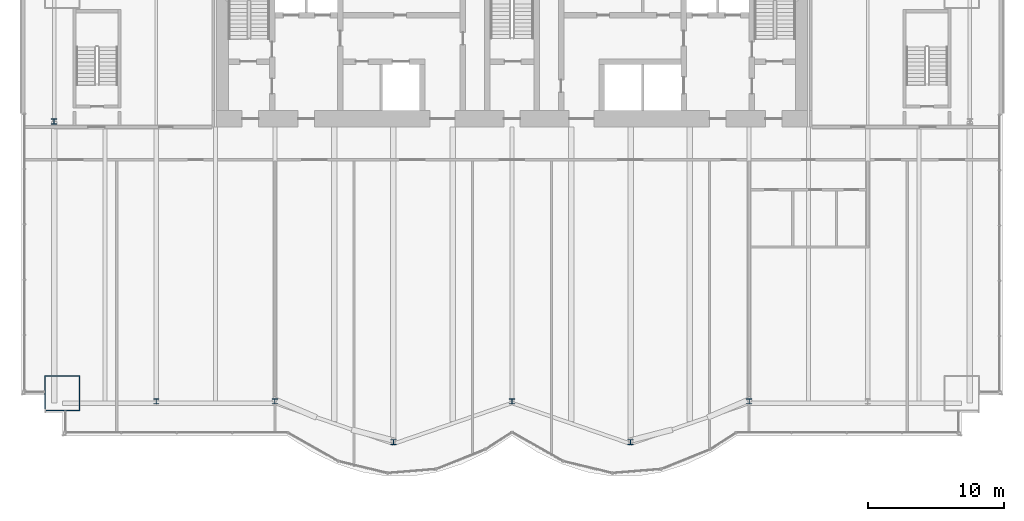
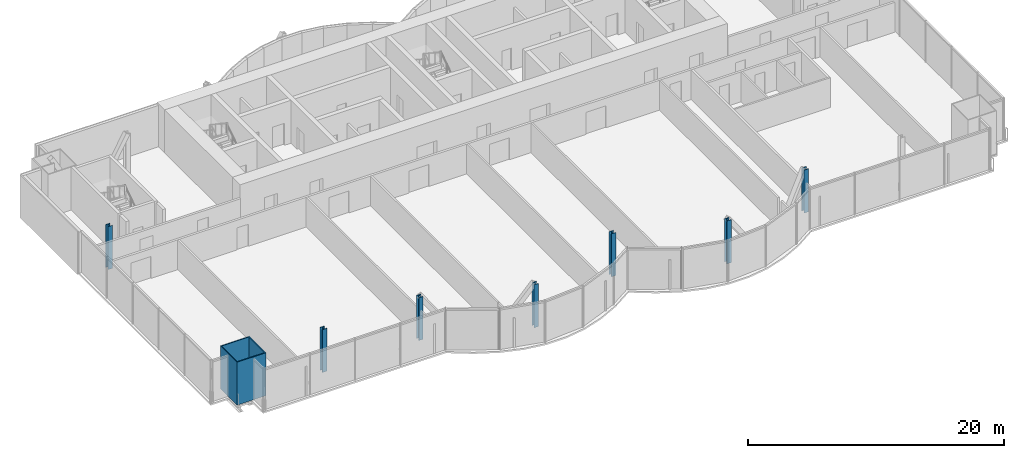
# One storey, part 1 of 22: 8 columns.
"""IFC4 building model written with IfcOpenShell, lengths in metres."""

import ifcopenshell
import ifcopenshell.guid

model = None  # the IFC model being written
_history = None  # IfcOwnerHistory: only IFC2X3 demands one
_inside = {}  # id of a spatial element -> (the spatial element, [elements in it])
_under = {}  # id of a project, library or spatial element -> (it, [spatial elements below it])
_declared = {}  # id of a project -> (the project, [libraries it declares])
_typed = {}  # id of a type object -> (the type object, [elements of that type])
_made_of = {}  # id of a material, layer set ... -> (it, [elements and type objects made of it])


def new_model(schema):
    """Start an empty IFC model of exactly this schema.

    Asked for "IFC4X3", IfcOpenShell would pick the latest addendum, in which some entities
    have other attributes; the version numbers below select the first issue.
    IFC2X3 requires an IfcOwnerHistory on every rooted entity: one is made here for all.
    """
    global model, _history
    if schema == "IFC4X3":
        model = ifcopenshell.file(schema_version=(4, 3, 0, 0))
    else:
        model = ifcopenshell.file(schema=schema)
    _inside.clear()
    _under.clear()
    _declared.clear()
    _typed.clear()
    _made_of.clear()
    _history = None
    if model.schema == "IFC2X3":
        org = make("IfcOrganization", Name="unknown")
        user = make(
            "IfcPersonAndOrganization",
            ThePerson=make("IfcPerson", FamilyName="unknown"),
            TheOrganization=org,
        )
        app = make(
            "IfcApplication",
            ApplicationDeveloper=org,
            Version="unknown",
            ApplicationFullName="unknown",
            ApplicationIdentifier="unknown",
        )
        _history = make(
            "IfcOwnerHistory",
            OwningUser=user,
            OwningApplication=app,
            ChangeAction="ADDED",
            CreationDate=0,
        )
    return model


def make(cls, **values):
    """One entity of the class cls with the attributes given. An attribute that is None is left unset."""
    return model.create_entity(
        cls, **{name: value for name, value in values.items() if value is not None}
    )


def rooted(cls, **values):
    """An entity with a GlobalId (a new one), such as an element, a storey or a relation."""
    return make(cls, GlobalId=ifcopenshell.guid.new(), OwnerHistory=_history, **values)


def si_unit(unit_type, name, prefix=None):
    """IfcSIUnit, for example si_unit("LENGTHUNIT", "METRE", prefix="MILLI")."""
    return make("IfcSIUnit", UnitType=unit_type, Prefix=prefix, Name=name)


def assignment(units):
    """IfcUnitAssignment: the units of a project."""
    return None if units is None else make("IfcUnitAssignment", Units=units)


def point(xyz):
    """IfcCartesianPoint."""
    return None if xyz is None else make("IfcCartesianPoint", Coordinates=xyz)


def direction(xyz):
    """IfcDirection."""
    return None if xyz is None else make("IfcDirection", DirectionRatios=xyz)


def frame(location, z_axis=None, x_axis=None):
    """IfcAxis2Placement3D, a coordinate frame: its origin and axes. An axis left out is left unset."""
    return make(
        "IfcAxis2Placement3D",
        Location=point(location),
        Axis=direction(z_axis),
        RefDirection=direction(x_axis),
    )


def frame_2d(location, x_axis=None):
    """IfcAxis2Placement2D, a coordinate frame in the plane: its origin and x axis."""
    return make(
        "IfcAxis2Placement2D", Location=point(location), RefDirection=direction(x_axis)
    )


def origin():
    """The frame at (0, 0, 0) with its axes left unset."""
    return frame((0.0, 0.0, 0.0))


def origin_2d():
    """The frame at (0, 0) in the plane with its x axis left unset."""
    return frame_2d((0.0, 0.0))


def place(relative_to, where):
    """IfcLocalPlacement: puts the frame where relative to a parent placement (None: the world)."""
    return make(
        "IfcLocalPlacement", PlacementRelTo=relative_to, RelativePlacement=where
    )


def context(
    kind, dimensions, precision=None, world=None, true_north=None, identifier=None
):
    """IfcGeometricRepresentationContext, for example the 3D "Model" context."""
    return make(
        "IfcGeometricRepresentationContext",
        ContextIdentifier=identifier,
        ContextType=kind,
        CoordinateSpaceDimension=dimensions,
        Precision=precision,
        WorldCoordinateSystem=world,
        TrueNorth=true_north,
    )


def subcontext(parent, identifier, kind, view, scale=None):
    """IfcGeometricRepresentationSubContext, for example "Body" below "Model"."""
    return make(
        "IfcGeometricRepresentationSubContext",
        ContextIdentifier=identifier,
        ContextType=kind,
        ParentContext=parent,
        TargetScale=scale,
        TargetView=view,
    )


def project(units=None, contexts=None):
    """IfcProject with its units and contexts."""
    return rooted(
        "IfcProject",
        Name="project",
        RepresentationContexts=contexts,
        UnitsInContext=assignment(units),
    )


def spatial(cls, under=None, at=None, **own):
    """A site, building, storey or space (cls), placed at a placement, below another one or the project."""
    s = rooted(cls, ObjectPlacement=at, **own)
    if under is not None:
        _under.setdefault(under.id(), (under, []))[1].append(s)
    return s


def profile(cls, at=None, kind="AREA", **sizes):
    """A parametric profile (cls). Its sizes go by their IFC names, for example OverallWidth=200.0."""
    return make(cls, ProfileType=kind, Position=at, **sizes)


def hollow_rectangle(**sizes):
    """IfcRectangleHollowProfileDef."""
    return profile("IfcRectangleHollowProfileDef", **sizes)


def i_section(**sizes):
    """IfcIShapeProfileDef."""
    return profile("IfcIShapeProfileDef", **sizes)


def extrude(swept, where, along, depth):
    """IfcExtrudedAreaSolid: the profile swept, set in the frame where, extruded along a direction by depth."""
    return make(
        "IfcExtrudedAreaSolid",
        SweptArea=swept,
        Position=where,
        ExtrudedDirection=direction(along),
        Depth=depth,
    )


def shape(context_of_items, identifier, shape_type, items):
    """IfcShapeRepresentation: the items that make up one representation, for example the "Body"."""
    return make(
        "IfcShapeRepresentation",
        ContextOfItems=context_of_items,
        RepresentationIdentifier=identifier,
        RepresentationType=shape_type,
        Items=items,
    )


def material(Name=None, Category=None):
    """IfcMaterial."""
    return make("IfcMaterial", Name=Name, Category=Category)


def material_profile(
    of_material, cross_section, Name=None, Category=None, Priority=None
):
    """IfcMaterialProfile: a cross section and its material."""
    return make(
        "IfcMaterialProfile",
        Name=Name,
        Material=of_material,
        Profile=cross_section,
        Priority=Priority,
        Category=Category,
    )


def profile_set(profiles, Name=None, composite=None):
    """IfcMaterialProfileSet."""
    return make(
        "IfcMaterialProfileSet",
        Name=Name,
        MaterialProfiles=profiles,
        CompositeProfile=composite,
    )


def made_of(thing, what):
    """Note that an element or type object is made of a material, layer set ...; save() writes the relation."""
    if what is not None:
        _made_of.setdefault(what.id(), (what, []))[1].append(thing)
    return thing


def type_object(cls, material=None, **own):
    """A type object (cls), such as IfcWallType, which elements share."""
    return made_of(rooted(cls, **own), material)


def element(
    cls,
    number,
    at=None,
    inside=None,
    cuts=None,
    type_object=None,
    material=None,
    context=None,
    identifier="Body",
    shape_type=None,
    held_by="IfcProductDefinitionShape",
    body=None,
    shapes=None,
    **own,
):
    """One element of the class cls, such as IfcWall. Its Tag is "e" and its number.

    at: its placement. inside: the storey or other place that contains it. cuts: it is an
    opening in that element (IfcRelVoidsElement). A single representation is given by context,
    identifier, shape_type and body (its items); several are given by shapes. held_by: the class
    of the entity that holds the representations. save() writes the other relations.
    """
    e = rooted(cls, Tag="e%d" % number, ObjectPlacement=at, **own)
    if body is not None:
        shapes = [shape(context, identifier, shape_type, body)]
    if shapes is not None:
        e.Representation = make(held_by, Representations=shapes)
    if inside is not None:
        _inside.setdefault(inside.id(), (inside, []))[1].append(e)
    if cuts is not None:
        rooted(
            "IfcRelVoidsElement", RelatingBuildingElement=cuts, RelatedOpeningElement=e
        )
    if type_object is not None:
        _typed.setdefault(type_object.id(), (type_object, []))[1].append(e)
    return made_of(e, material)


def aggregate(whole, parts):
    """IfcRelAggregates: a whole, such as a stair, and the parts it consists of."""
    return rooted("IfcRelAggregates", RelatingObject=whole, RelatedObjects=parts)


def save(model, path):
    """Write the relations noted so far, then the file.

    IfcRelAggregates (storeys below a building ...), IfcRelContainedInSpatialStructure (elements
    in a storey), IfcRelDefinesByType, IfcRelAssociatesMaterial and IfcRelDeclares: one each for
    every whole, place, type object, material and project.
    """
    for whole, parts in _under.values():
        aggregate(whole, parts)
    for where, things in _inside.values():
        rooted(
            "IfcRelContainedInSpatialStructure",
            RelatedElements=things,
            RelatingStructure=where,
        )
    for kind, things in _typed.values():
        rooted("IfcRelDefinesByType", RelatedObjects=things, RelatingType=kind)
    for what, things in _made_of.values():
        rooted("IfcRelAssociatesMaterial", RelatedObjects=things, RelatingMaterial=what)
    for by, libraries in _declared.values():
        rooted("IfcRelDeclares", RelatingContext=by, RelatedDefinitions=libraries)
    model.write(path)


model = new_model("IFC4")

# Units and contexts
model_context = context("Model", 3, precision=1e-05, world=origin(), true_north=direction((0.0, 1.0)))
body_context = subcontext(model_context, "Body", "Model", "MODEL_VIEW")
ifc_project = project(units=[si_unit("LENGTHUNIT", "METRE"), si_unit("AREAUNIT", "SQUARE_METRE"), si_unit("VOLUMEUNIT", "CUBIC_METRE"), si_unit("PLANEANGLEUNIT", "RADIAN"), si_unit("MASSUNIT", "GRAM", prefix="KILO")], contexts=[model_context])

# Site, building, storey
site_placement = place(None, origin())
site = spatial("IfcSite", under=ifc_project, at=site_placement, CompositionType="ELEMENT")
building_placement = place(site_placement, origin())
building = spatial("IfcBuilding", under=site, at=building_placement, Name="Bicima Exchange Tower", CompositionType="ELEMENT")
storey_placement = place(building_placement, frame((0.0, 0.0, 148.60009765625)))
storey = spatial("IfcBuildingStorey", under=building, at=storey_placement, Name="L32", CompositionType="ELEMENT", Elevation=148.60009765625)

# Columns
ifc_material_1 = material(Name="Steel ASTM A572 Gr 50", Category="steel")
ifc_material_profile_1 = material_profile(ifc_material_1, hollow_rectangle(XDim=2.60009765625, YDim=2.60009765625, WallThickness=0.080078125, at=origin_2d()))
ifc_profile_set_1 = profile_set([ifc_material_profile_1], Name="Steel ASTM A572 Gr 50")
column_type_1 = type_object("IfcColumnType", Name="Mega column BOX 2600x2600x80", PredefinedType="COLUMN", material=ifc_profile_set_1)
column_placement = place(storey_placement, frame((-33.0, -32.533935546875, 0.0), z_axis=(0.0, 0.0, 1.0), x_axis=(1.0, 0.0, 0.0)))
element("IfcColumn", 1, at=column_placement, inside=storey, type_object=column_type_1, Name="Mega column mega-33.0f", PredefinedType="COLUMN", context=body_context, shape_type="SweptSolid", body=[
    extrude(hollow_rectangle(XDim=2.60009765625, YDim=2.60009765625, WallThickness=0.080078125, at=origin_2d()), origin(), (0.0, 0.0, 1.0), 4.099853515625),
])
ifc_material_2 = material(Name="Steel ASTM A992 Gr 50", Category="steel")
ifc_material_profile_2 = material_profile(ifc_material_2, i_section(OverallWidth=0.396240234375, OverallDepth=0.381103515625, WebThickness=0.01904296875, FlangeThickness=0.0302734375, at=origin_2d()))
ifc_profile_set_2 = profile_set([ifc_material_profile_2], Name="Steel ASTM A992 Gr 50")
column_type_2 = type_object("IfcColumnType", Name="Perimeter column W14x159", PredefinedType="COLUMN", material=ifc_profile_set_2)
for number, where, z_axis, x_axis, name in (
    (2, (-26.10009765625, -33.134033203125, 0.0), (0.0, 0.0, 1.0), (1.0, 0.0, 0.0), "Perimeter column grav-26.1f"),
    (3, (-17.39990234375, -33.134033203125, 0.0), (0.0, 0.0, 1.0), (1.0, 0.0, 0.0), "Perimeter column grav-17.4f"),
    (4, (-8.699951171875, -36.125, 0.0), (0.0, 0.0, 1.0), (1.0, 0.0, 0.0), "Perimeter column grav-8.7f"),
    (5, (0.0, -33.134033203125, 0.0), (0.0, 0.0, 1.0), (1.0, 0.0, 0.0), "Perimeter column grav-0.0f"),
    (6, (8.699951171875, -36.125, 0.0), (0.0, 0.0, 1.0), (1.0, 0.0, 0.0), "Perimeter column grav+8.7f"),
    (7, (17.39990234375, -33.134033203125, 0.0), (0.0, 0.0, 1.0), (1.0, 0.0, 0.0), "Perimeter column grav+17.4f"),
    (8, (-33.60009765625, -12.60009765625, 0.0), (0.0, 0.0, 1.0), (1.0, 0.0, 0.0), "End column end-33.6e"),
):
    element("IfcColumn", number, at=place(storey_placement, frame(where, z_axis=z_axis, x_axis=x_axis)), inside=storey, type_object=column_type_2, Name=name, PredefinedType="COLUMN", context=body_context, shape_type="SweptSolid", body=[
        extrude(i_section(OverallWidth=0.396240234375, OverallDepth=0.381103515625, WebThickness=0.01904296875, FlangeThickness=0.0302734375, at=origin_2d()), origin(), (0.0, 0.0, 1.0), 4.099853515625),
    ])

save(model, "model.ifc")
